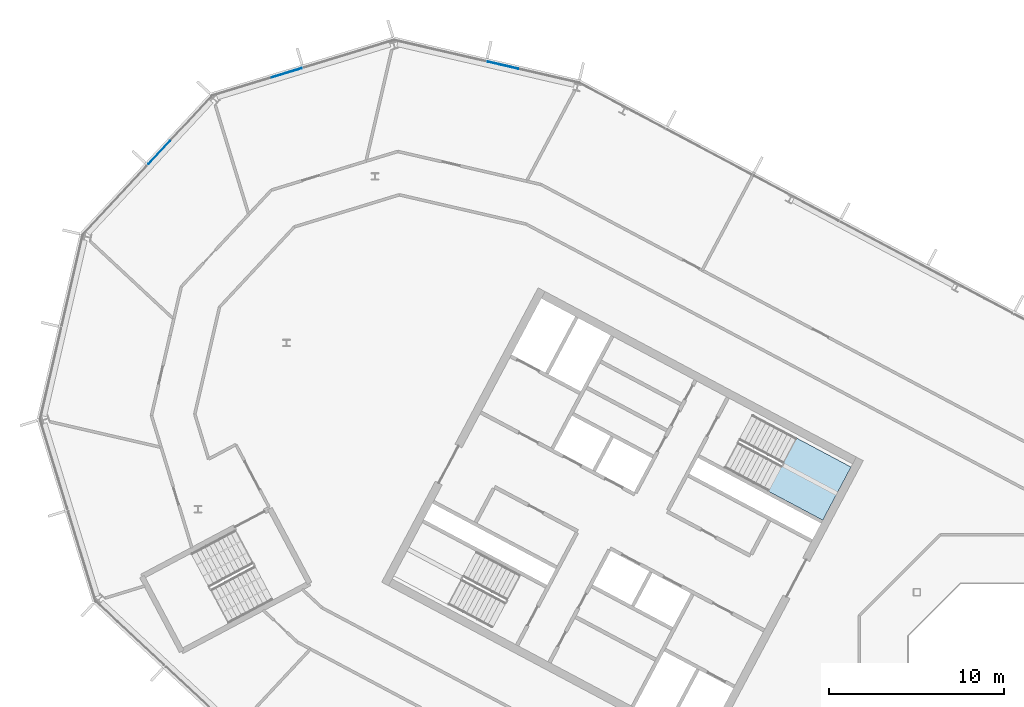
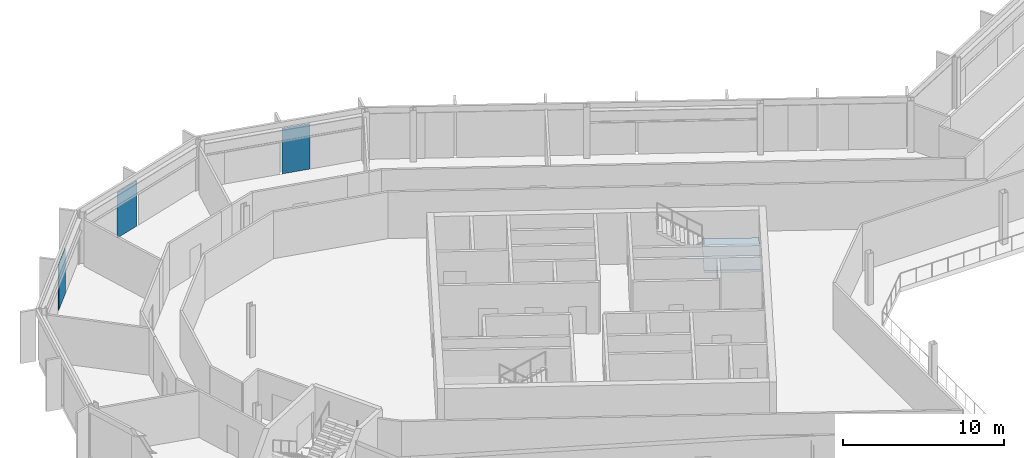
# One storey, part 11 of 26: 3 plates, 1 slab, 4 elements without a shape of their own.
"""IFC4 building model written with IfcOpenShell, lengths in metres."""

from ifc_helpers import new_model, si_unit, direction, frame, origin, origin_2d, place, context, subcontext, project, spatial, polyline, rectangle, outline, extrude, material, layer, layer_set, type_object, element, aggregate, save


model = new_model("IFC4")

# Units and contexts
model_context = context("Model", 3, precision=1e-05, world=origin(), true_north=direction((0.0, 1.0)))
body_context = subcontext(model_context, "Body", "Model", "MODEL_VIEW")
ifc_project = project(units=[si_unit("LENGTHUNIT", "METRE"), si_unit("AREAUNIT", "SQUARE_METRE"), si_unit("VOLUMEUNIT", "CUBIC_METRE"), si_unit("PLANEANGLEUNIT", "RADIAN"), si_unit("MASSUNIT", "GRAM", prefix="KILO")], contexts=[model_context])

# Site, building, storey
site_placement = place(None, origin())
site = spatial("IfcSite", under=ifc_project, at=site_placement, CompositionType="ELEMENT")
building_placement = place(site_placement, origin())
building = spatial("IfcBuilding", under=site, at=building_placement, Name="Cormorant Relay Tower", CompositionType="ELEMENT")
storey_placement = place(building_placement, frame((0.0, 0.0, 285.300048828125)))
storey = spatial("IfcBuildingStorey", under=building, at=storey_placement, Name="L64", CompositionType="ELEMENT", Elevation=285.300048828125)

# Curtain wall, plate
ifc_material_1 = material(Name="Aluminium 6063-T6 anodised bronze", Category="aluminium")
ifc_layer_1 = layer(ifc_material_1, 0.199951171875)
ifc_layer_set_1 = layer_set([ifc_layer_1], Name="CW1 unitised bronze curtain wall with vertical fins")
curtain_wall_type = type_object("IfcCurtainWallType", Name="CW1 unitised bronze curtain wall with vertical fins", PredefinedType="NOTDEFINED", material=ifc_layer_set_1)
curtain_wall_1_placement = place(storey_placement, origin())
curtain_wall_1 = element("IfcCurtainWall", 1, at=curtain_wall_1_placement, inside=storey, type_object=curtain_wall_type, Name="CW1 curtain wall 10", PredefinedType="NOTDEFINED")
ifc_material_2 = material(Name="Tinted laminated glass", Category="glass")
ifc_layer_2 = layer(ifc_material_2, 0.0400390625)
ifc_layer_set_2 = layer_set([ifc_layer_2], Name="CW1 tinted vision panel 1800 module")
plate_type = type_object("IfcPlateType", Name="CW1 tinted vision panel 1800 module", PredefinedType="CURTAIN_PANEL", material=ifc_layer_set_2)
plate_1_placement = place(storey_placement, frame((-34.215087890625, 40.69091796875, 0.0), z_axis=(0.0, 0.0, 1.0), x_axis=(-0.974370064785, 0.224951054344, 0.0)))
plate_1 = element("IfcPlate", 2, at=plate_1_placement, type_object=plate_type, Name="CW1 panel V01", PredefinedType="CURTAIN_PANEL", context=body_context, shape_type="SweptSolid", body=[
    extrude(rectangle(XDim=1.800048828125, YDim=0.0400390625, at=origin_2d()), origin(), (0.0, 0.0, 1.0), 3.449951171875),
])
aggregate(curtain_wall_1, [plate_1])

curtain_wall_2_placement = place(storey_placement, origin())
curtain_wall_2 = element("IfcCurtainWall", 3, at=curtain_wall_2_placement, inside=storey, type_object=curtain_wall_type, Name="CW1 curtain wall 11", PredefinedType="NOTDEFINED")
plate_2_placement = place(storey_placement, frame((-46.6015625, 40.25830078125, 0.0), z_axis=(0.0, 0.0, 1.0), x_axis=(-0.956304755963, -0.292371704723, 0.0)))
plate_2 = element("IfcPlate", 4, at=plate_2_placement, type_object=plate_type, Name="CW1 panel V01", PredefinedType="CURTAIN_PANEL", context=body_context, shape_type="SweptSolid", body=[
    extrude(rectangle(XDim=1.800048828125, YDim=0.0400390625, at=origin_2d()), origin(), (0.0, 0.0, 1.0), 3.449951171875),
])
aggregate(curtain_wall_2, [plate_2])

curtain_wall_3_placement = place(storey_placement, origin())
curtain_wall_3 = element("IfcCurtainWall", 5, at=curtain_wall_3_placement, inside=storey, type_object=curtain_wall_type, Name="CW1 curtain wall 12", PredefinedType="NOTDEFINED")
plate_3_placement = place(storey_placement, frame((-53.91748046875, 35.68701171875, 0.0), z_axis=(0.0, 0.0, 1.0), x_axis=(-0.681998360062, -0.731353701619, 0.0)))
plate_3 = element("IfcPlate", 6, at=plate_3_placement, type_object=plate_type, Name="CW1 panel V01", PredefinedType="CURTAIN_PANEL", context=body_context, shape_type="SweptSolid", body=[
    extrude(rectangle(XDim=1.800048828125, YDim=0.0400390625, at=origin_2d()), origin(), (0.0, 0.0, 1.0), 3.449951171875),
])
aggregate(curtain_wall_3, [plate_3])

# Stair, slab
ifc_material_3 = material(Name="Concrete 40 MPa", Category="concrete")
stair_type = type_object("IfcStairType", Name="Exit stair 1500", PredefinedType="HALF_TURN_STAIR", material=ifc_material_3)
stair_placement = place(storey_placement, origin())
stair = element("IfcStair", 7, at=stair_placement, inside=storey, type_object=stair_type, Name="L64 Stair", PredefinedType="HALF_TURN_STAIR")
ifc_material_4 = material(Name="Concrete 40 MPa", Category="concrete")
ifc_layer_3 = layer(ifc_material_4, 0.199951171875)
ifc_layer_set_3 = layer_set([ifc_layer_3], Name="Exit stair landing 200")
slab_type = type_object("IfcSlabType", Name="Exit stair landing 200", PredefinedType="LANDING", material=ifc_layer_set_3)
slab_placement = place(storey_placement, frame((0.0, 0.0, 1.75)))
slab = element("IfcSlab", 8, at=slab_placement, type_object=slab_type, Name="A1 landing 1", PredefinedType="LANDING", context=body_context, shape_type="SweptSolid", body=[
    extrude(outline(polyline([(-19.029541015625, 16.29052734375), (-15.89501953125, 14.6240234375), (-14.275390625, 17.670166015625), (-17.40966796875, 19.3369140625), (-19.029541015625, 16.29052734375)])), origin(), (0.0, 0.0, 1.0), 0.199951171875),
])
aggregate(stair, [slab])

save(model, "model.ifc")
